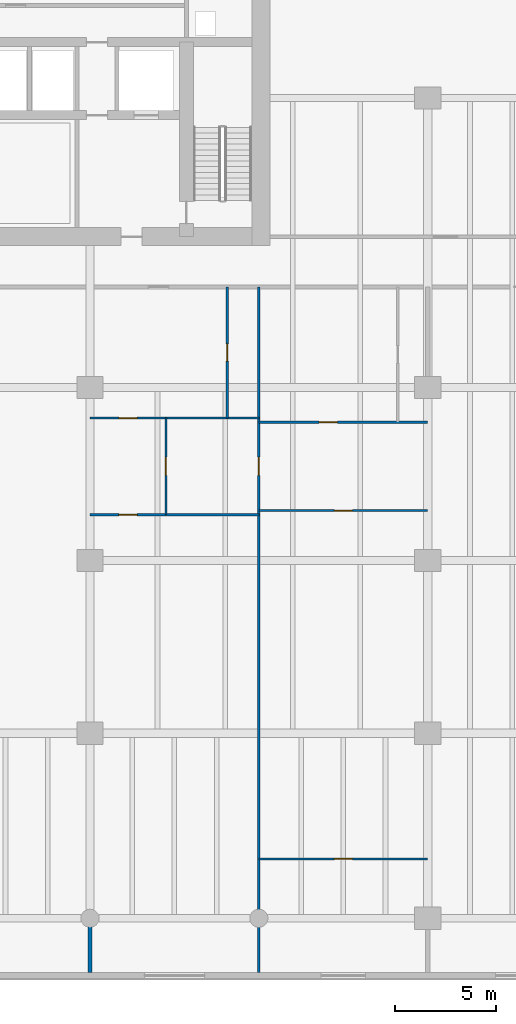
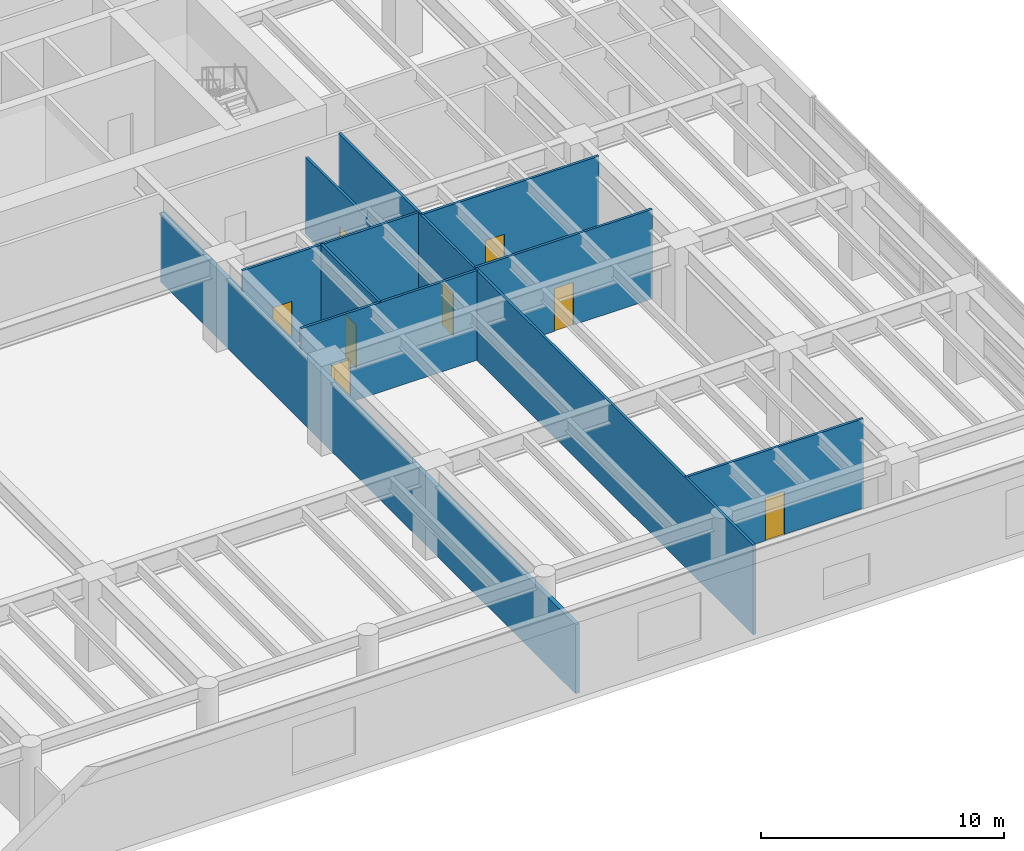
# One storey, part 6 of 13: 9 walls, 8 doors, 8 openings.
"""IFC4 building model written with IfcOpenShell, lengths in metres."""

from ifc_helpers import new_model, si_unit, direction, frame, frame_2d, origin, place, context, subcontext, project, spatial, rectangle, extrude, material, layer, layer_set, type_object, element, fill, save


model = new_model("IFC4")

# Units and contexts
model_context = context("Model", 3, precision=1e-05, world=origin(), true_north=direction((0.0, 1.0)))
body_context = subcontext(model_context, "Body", "Model", "MODEL_VIEW")
ifc_project = project(units=[si_unit("LENGTHUNIT", "METRE"), si_unit("AREAUNIT", "SQUARE_METRE"), si_unit("VOLUMEUNIT", "CUBIC_METRE"), si_unit("PLANEANGLEUNIT", "RADIAN"), si_unit("MASSUNIT", "GRAM", prefix="KILO")], contexts=[model_context])

# Site, building, storey
site_placement = place(None, origin())
site = spatial("IfcSite", under=ifc_project, at=site_placement, CompositionType="ELEMENT")
building_placement = place(site_placement, origin())
building = spatial("IfcBuilding", under=site, at=building_placement, Name="Caelmar Bay Residences", CompositionType="ELEMENT")
storey_placement = place(building_placement, frame((0.0, 0.0, 5.39990234375)))
storey = spatial("IfcBuildingStorey", under=building, at=storey_placement, Name="L01", CompositionType="ELEMENT", Elevation=5.39990234375)

# Wall, opening, door
ifc_material_1 = material(Name="Acoustic metal-stud gypsum partition 120 mm")
ifc_layer_1 = layer(ifc_material_1, 0.1201171875)
ifc_layer_set_1 = layer_set([ifc_layer_1], Name="Acoustic metal-stud gypsum partition 120 mm")
wall_type_1 = type_object("IfcWallType", Name="W-PRT-120", PredefinedType="PARTITIONING", material=ifc_layer_set_1)
wall_1_placement = place(storey_placement, frame((54.8798828125, 23.080078125, 0.0), z_axis=(0.0, 0.0, 1.0), x_axis=(0.0, 1.0, 0.0)))
wall_1 = element("IfcWall", 1, at=wall_1_placement, inside=storey, type_object=wall_type_1, Name="L01 Partition Wall V019", PredefinedType="PARTITIONING", context=body_context, shape_type="SweptSolid", body=[
    extrude(rectangle(XDim=4.7998046875, YDim=0.1201171875, at=frame_2d((2.39990234375, 0.0))), origin(), (0.0, 0.0, 1.0), 4.5),
])
opening_1_placement = place(wall_1_placement, frame((1.949951171875, 0.0, 0.0)))
opening_1 = element("IfcOpeningElement", 2, at=opening_1_placement, cuts=wall_1, Name="Opening D-L01-124", PredefinedType="OPENING", context=body_context, shape_type="SweptSolid", body=[
    extrude(rectangle(XDim=0.89990234375, YDim=2.14990234375, at=frame_2d((0.449951171875, 1.074951171875))), frame((0.0, 0.070068359375, 0.0), z_axis=(0.0, -1.0, 0.0), x_axis=(1.0, 0.0, 0.0)), (0.0, 0.0, 1.0), 0.14013671875),
])
ifc_material_2 = material(Name="Solid walnut timber interior door leaf and frame", Category="wood")
ifc_layer_2 = layer(ifc_material_2, 0.050048828125)
ifc_layer_set_2 = layer_set([ifc_layer_2], Name="Solid walnut timber interior door leaf and frame")
door_type_1 = type_object("IfcDoorType", Name="D-ROOM-900", OperationType="NOTDEFINED", PredefinedType="DOOR", material=ifc_layer_set_2)
door_1_placement = place(opening_1_placement, origin())
door_1 = element("IfcDoor", 3, at=door_1_placement, inside=storey, type_object=door_type_1, Name="L01 Residence 1A Kitchen Door", OperationType="SINGLE_SWING_LEFT", OverallHeight=2.14990234375, OverallWidth=0.89990234375, PredefinedType="DOOR", context=body_context, shape_type="SweptSolid", body=[
    extrude(rectangle(XDim=0.89990234375, YDim=2.14990234375, at=frame_2d((0.449951171875, 1.074951171875))), frame((0.0, 0.02490234375, 0.0), z_axis=(0.0, -1.0, 0.0), x_axis=(1.0, 0.0, 0.0)), (0.0, 0.0, 1.0), 0.050048828125),
])
fill(opening_1, door_1)

wall_2_placement = place(storey_placement, frame((57.919921875, 27.8798828125, 0.0), z_axis=(0.0, 0.0, 1.0), x_axis=(0.0, 1.0, 0.0)))
wall_2 = element("IfcWall", 4, at=wall_2_placement, inside=storey, type_object=wall_type_1, Name="L01 Partition Wall V021", PredefinedType="PARTITIONING", context=body_context, shape_type="SweptSolid", body=[
    extrude(rectangle(XDim=6.52001953125, YDim=0.1201171875, at=frame_2d((3.260009765625, 0.0))), origin(), (0.0, 0.0, 1.0), 3.873046875),
])
opening_2_placement = place(wall_2_placement, frame((2.8349609375, 0.0, 0.0)))
opening_2 = element("IfcOpeningElement", 5, at=opening_2_placement, cuts=wall_2, Name="Opening D-L01-122", PredefinedType="OPENING", context=body_context, shape_type="SweptSolid", body=[
    extrude(rectangle(XDim=0.85009765625, YDim=2.10009765625, at=frame_2d((0.425048828125, 1.050048828125))), frame((0.0, 0.070068359375, 0.0), z_axis=(0.0, -1.0, 0.0), x_axis=(1.0, 0.0, 0.0)), (0.0, 0.0, 1.0), 0.14013671875),
])
ifc_layer_3 = layer(ifc_material_2, 0.050048828125)
ifc_layer_set_3 = layer_set([ifc_layer_3], Name="Solid walnut timber interior door leaf and frame")
door_type_2 = type_object("IfcDoorType", Name="D-BATH-850", OperationType="NOTDEFINED", PredefinedType="DOOR", material=ifc_layer_set_3)
door_2_placement = place(opening_2_placement, origin())
door_2 = element("IfcDoor", 6, at=door_2_placement, inside=storey, type_object=door_type_2, Name="L01 Residence 1A Guest Bathroom Door", OperationType="SINGLE_SWING_LEFT", OverallHeight=2.10009765625, OverallWidth=0.85009765625, PredefinedType="DOOR", context=body_context, shape_type="SweptSolid", body=[
    extrude(rectangle(XDim=0.85009765625, YDim=2.10009765625, at=frame_2d((0.425048828125, 1.050048828125))), frame((0.0, 0.02490234375, 0.0), z_axis=(0.0, -1.0, 0.0), x_axis=(1.0, 0.0, 0.0)), (0.0, 0.0, 1.0), 0.050048828125),
])
fill(opening_2, door_2)

wall_3_placement = place(storey_placement, frame((59.5, 0.294921875, 0.0), z_axis=(0.0, 0.0, 1.0), x_axis=(0.0, 1.0, 0.0)))
wall_3 = element("IfcWall", 7, at=wall_3_placement, inside=storey, type_object=wall_type_1, Name="L01 Partition Wall V022", PredefinedType="PARTITIONING", context=body_context, shape_type="SweptSolid", body=[
    extrude(rectangle(XDim=34.10498046875, YDim=0.1201171875, at=frame_2d((17.052490234375, 0.0))), origin(), (0.0, 0.0, 1.0), 4.5),
])
opening_3_placement = place(wall_3_placement, frame((24.735107421875, 0.0, 0.0)))
opening_3 = element("IfcOpeningElement", 8, at=opening_3_placement, cuts=wall_3, Name="Opening D-L01-126", PredefinedType="OPENING", context=body_context, shape_type="SweptSolid", body=[
    extrude(rectangle(XDim=0.89990234375, YDim=2.14990234375, at=frame_2d((0.449951171875, 1.074951171875))), frame((0.0, 0.070068359375, 0.0), z_axis=(0.0, -1.0, 0.0), x_axis=(1.0, 0.0, 0.0)), (0.0, 0.0, 1.0), 0.14013671875),
])
door_3_placement = place(opening_3_placement, origin())
door_3 = element("IfcDoor", 9, at=door_3_placement, inside=storey, type_object=door_type_1, Name="L01 Residence 1A Library Study 1 Door", OperationType="SINGLE_SWING_LEFT", OverallHeight=2.14990234375, OverallWidth=0.89990234375, PredefinedType="DOOR", context=body_context, shape_type="SweptSolid", body=[
    extrude(rectangle(XDim=0.89990234375, YDim=2.14990234375, at=frame_2d((0.449951171875, 1.074951171875))), frame((0.0, 0.02490234375, 0.0), z_axis=(0.0, -1.0, 0.0), x_axis=(1.0, 0.0, 0.0)), (0.0, 0.0, 1.0), 0.050048828125),
])
fill(opening_3, door_3)

wall_4_placement = place(storey_placement, frame((59.5, 5.949951171875, 0.0), z_axis=(0.0, 0.0, 1.0), x_axis=(1.0, 0.0, 0.0)))
wall_4 = element("IfcWall", 10, at=wall_4_placement, inside=storey, type_object=wall_type_1, Name="L01 Partition Wall H026", PredefinedType="PARTITIONING", context=body_context, shape_type="SweptSolid", body=[
    extrude(rectangle(XDim=8.39990234375, YDim=0.1201171875, at=frame_2d((4.199951171875, 0.0))), origin(), (0.0, 0.0, 1.0), 4.5),
])
opening_4_placement = place(wall_4_placement, frame((3.75, 0.0, 0.0)))
opening_4 = element("IfcOpeningElement", 11, at=opening_4_placement, cuts=wall_4, Name="Opening D-L01-130", PredefinedType="OPENING", context=body_context, shape_type="SweptSolid", body=[
    extrude(rectangle(XDim=0.89990234375, YDim=2.14990234375, at=frame_2d((0.449951171875, 1.074951171875))), frame((0.0, 0.070068359375, 0.0), z_axis=(0.0, -1.0, 0.0), x_axis=(1.0, 0.0, 0.0)), (0.0, 0.0, 1.0), 0.14013671875),
])
door_4_placement = place(opening_4_placement, origin())
door_4 = element("IfcDoor", 12, at=door_4_placement, inside=storey, type_object=door_type_1, Name="L01 Residence 1A Primary Bedroom 1 Door", OperationType="SINGLE_SWING_LEFT", OverallHeight=2.14990234375, OverallWidth=0.89990234375, PredefinedType="DOOR", context=body_context, shape_type="SweptSolid", body=[
    extrude(rectangle(XDim=0.89990234375, YDim=2.14990234375, at=frame_2d((0.449951171875, 1.074951171875))), frame((0.0, 0.02490234375, 0.0), z_axis=(0.0, -1.0, 0.0), x_axis=(1.0, 0.0, 0.0)), (0.0, 0.0, 1.0), 0.050048828125),
])
fill(opening_4, door_4)

wall_5_placement = place(storey_placement, frame((51.10009765625, 23.080078125, 0.0), z_axis=(0.0, 0.0, 1.0), x_axis=(1.0, 0.0, 0.0)))
wall_5 = element("IfcWall", 13, at=wall_5_placement, inside=storey, type_object=wall_type_1, Name="L01 Partition Wall H027", PredefinedType="PARTITIONING", context=body_context, shape_type="SweptSolid", body=[
    extrude(rectangle(XDim=8.39990234375, YDim=0.1201171875, at=frame_2d((4.199951171875, 0.0))), origin(), (0.0, 0.0, 1.0), 4.5),
])
opening_5_placement = place(wall_5_placement, frame((1.43994140625, 0.0, 0.0)))
opening_5 = element("IfcOpeningElement", 14, at=opening_5_placement, cuts=wall_5, Name="Opening D-L01-125", PredefinedType="OPENING", context=body_context, shape_type="SweptSolid", body=[
    extrude(rectangle(XDim=0.89990234375, YDim=2.14990234375, at=frame_2d((0.449951171875, 1.074951171875))), frame((0.0, 0.070068359375, 0.0), z_axis=(0.0, -1.0, 0.0), x_axis=(1.0, 0.0, 0.0)), (0.0, 0.0, 1.0), 0.14013671875),
])
door_5_placement = place(opening_5_placement, origin())
door_5 = element("IfcDoor", 15, at=door_5_placement, inside=storey, type_object=door_type_1, Name="L01 Residence 1A Penthouse Living Salon Door", OperationType="SINGLE_SWING_RIGHT", OverallHeight=2.14990234375, OverallWidth=0.89990234375, PredefinedType="DOOR", context=body_context, shape_type="SweptSolid", body=[
    extrude(rectangle(XDim=0.89990234375, YDim=2.14990234375, at=frame_2d((0.449951171875, 1.074951171875))), frame((0.0, 0.02490234375, 0.0), z_axis=(0.0, -1.0, 0.0), x_axis=(1.0, 0.0, 0.0)), (0.0, 0.0, 1.0), 0.050048828125),
])
fill(opening_5, door_5)

wall_6_placement = place(storey_placement, frame((59.5, 23.280029296875, 0.0), z_axis=(0.0, 0.0, 1.0), x_axis=(1.0, 0.0, 0.0)))
wall_6 = element("IfcWall", 16, at=wall_6_placement, inside=storey, type_object=wall_type_1, Name="L01 Partition Wall H028", PredefinedType="PARTITIONING", context=body_context, shape_type="SweptSolid", body=[
    extrude(rectangle(XDim=8.39990234375, YDim=0.1201171875, at=frame_2d((4.199951171875, 0.0))), origin(), (0.0, 0.0, 1.0), 4.5),
])
opening_6_placement = place(wall_6_placement, frame((3.75, 0.0, 0.0)))
opening_6 = element("IfcOpeningElement", 17, at=opening_6_placement, cuts=wall_6, Name="Opening D-L01-129", PredefinedType="OPENING", context=body_context, shape_type="SweptSolid", body=[
    extrude(rectangle(XDim=0.89990234375, YDim=2.14990234375, at=frame_2d((0.449951171875, 1.074951171875))), frame((0.0, 0.070068359375, 0.0), z_axis=(0.0, -1.0, 0.0), x_axis=(1.0, 0.0, 0.0)), (0.0, 0.0, 1.0), 0.14013671875),
])
door_6_placement = place(opening_6_placement, origin())
door_6 = element("IfcDoor", 18, at=door_6_placement, inside=storey, type_object=door_type_1, Name="L01 Residence 1A Penthouse Sitting Salon 1 Door", OperationType="SINGLE_SWING_RIGHT", OverallHeight=2.14990234375, OverallWidth=0.89990234375, PredefinedType="DOOR", context=body_context, shape_type="SweptSolid", body=[
    extrude(rectangle(XDim=0.89990234375, YDim=2.14990234375, at=frame_2d((0.449951171875, 1.074951171875))), frame((0.0, 0.02490234375, 0.0), z_axis=(0.0, -1.0, 0.0), x_axis=(1.0, 0.0, 0.0)), (0.0, 0.0, 1.0), 0.050048828125),
])
fill(opening_6, door_6)

wall_7_placement = place(storey_placement, frame((59.5, 27.679931640625, 0.0), z_axis=(0.0, 0.0, 1.0), x_axis=(1.0, 0.0, 0.0)))
wall_7 = element("IfcWall", 19, at=wall_7_placement, inside=storey, type_object=wall_type_1, Name="L01 Partition Wall H029", PredefinedType="PARTITIONING", context=body_context, shape_type="SweptSolid", body=[
    extrude(rectangle(XDim=8.39990234375, YDim=0.1201171875, at=frame_2d((4.199951171875, 0.0))), origin(), (0.0, 0.0, 1.0), 4.5),
])
opening_7_placement = place(wall_7_placement, frame((3.0, 0.0, 0.0)))
opening_7 = element("IfcOpeningElement", 20, at=opening_7_placement, cuts=wall_7, Name="Opening D-L01-127", PredefinedType="OPENING", context=body_context, shape_type="SweptSolid", body=[
    extrude(rectangle(XDim=0.89990234375, YDim=2.14990234375, at=frame_2d((0.449951171875, 1.074951171875))), frame((0.0, 0.070068359375, 0.0), z_axis=(0.0, -1.0, 0.0), x_axis=(1.0, 0.0, 0.0)), (0.0, 0.0, 1.0), 0.14013671875),
])
door_7_placement = place(opening_7_placement, origin())
door_7 = element("IfcDoor", 21, at=door_7_placement, inside=storey, type_object=door_type_1, Name="L01 Residence 1A Home Office 1 Door", OperationType="SINGLE_SWING_RIGHT", OverallHeight=2.14990234375, OverallWidth=0.89990234375, PredefinedType="DOOR", context=body_context, shape_type="SweptSolid", body=[
    extrude(rectangle(XDim=0.89990234375, YDim=2.14990234375, at=frame_2d((0.449951171875, 1.074951171875))), frame((0.0, 0.02490234375, 0.0), z_axis=(0.0, -1.0, 0.0), x_axis=(1.0, 0.0, 0.0)), (0.0, 0.0, 1.0), 0.050048828125),
])
fill(opening_7, door_7)

wall_8_placement = place(storey_placement, frame((51.10009765625, 27.8798828125, 0.0), z_axis=(0.0, 0.0, 1.0), x_axis=(1.0, 0.0, 0.0)))
wall_8 = element("IfcWall", 22, at=wall_8_placement, inside=storey, type_object=wall_type_1, Name="L01 Partition Wall H030", PredefinedType="PARTITIONING", context=body_context, shape_type="SweptSolid", body=[
    extrude(rectangle(XDim=8.39501953125, YDim=0.1201171875, at=frame_2d((4.197509765625, 0.0))), origin(), (0.0, 0.0, 1.0), 4.5),
])
opening_8_placement = place(wall_8_placement, frame((1.43994140625, 0.0, 0.0)))
opening_8 = element("IfcOpeningElement", 23, at=opening_8_placement, cuts=wall_8, Name="Opening D-L01-123", PredefinedType="OPENING", context=body_context, shape_type="SweptSolid", body=[
    extrude(rectangle(XDim=0.89990234375, YDim=2.14990234375, at=frame_2d((0.449951171875, 1.074951171875))), frame((0.0, 0.070068359375, 0.0), z_axis=(0.0, -1.0, 0.0), x_axis=(1.0, 0.0, 0.0)), (0.0, 0.0, 1.0), 0.14013671875),
])
door_8_placement = place(opening_8_placement, origin())
door_8 = element("IfcDoor", 24, at=door_8_placement, inside=storey, type_object=door_type_1, Name="L01 Residence 1A Dining Room Door", OperationType="SINGLE_SWING_RIGHT", OverallHeight=2.14990234375, OverallWidth=0.89990234375, PredefinedType="DOOR", context=body_context, shape_type="SweptSolid", body=[
    extrude(rectangle(XDim=0.89990234375, YDim=2.14990234375, at=frame_2d((0.449951171875, 1.074951171875))), frame((0.0, 0.02490234375, 0.0), z_axis=(0.0, -1.0, 0.0), x_axis=(1.0, 0.0, 0.0)), (0.0, 0.0, 1.0), 0.050048828125),
])
fill(opening_8, door_8)

# Wall
ifc_material_3 = material(Name="Acoustic twin-stud fire-rated inter-tenancy partition 200 mm")
ifc_layer_4 = layer(ifc_material_3, 0.199951171875)
ifc_layer_set_4 = layer_set([ifc_layer_4], Name="Acoustic twin-stud fire-rated inter-tenancy partition 200 mm")
wall_type_2 = type_object("IfcWallType", Name="W-PTY-200", PredefinedType="PARTITIONING", material=ifc_layer_set_4)
wall_9_placement = place(storey_placement, frame((51.10009765625, 0.294921875, 0.0), z_axis=(0.0, 0.0, 1.0), x_axis=(0.0, 1.0, 0.0)))
element("IfcWall", 25, at=wall_9_placement, inside=storey, type_object=wall_type_2, Name="L01 Partition Wall V017", PredefinedType="PARTITIONING", context=body_context, shape_type="SweptSolid", body=[
    extrude(rectangle(XDim=34.10498046875, YDim=0.199951171875, at=frame_2d((17.052490234375, 0.0))), origin(), (0.0, 0.0, 1.0), 3.464111328125),
])

save(model, "model.ifc")
